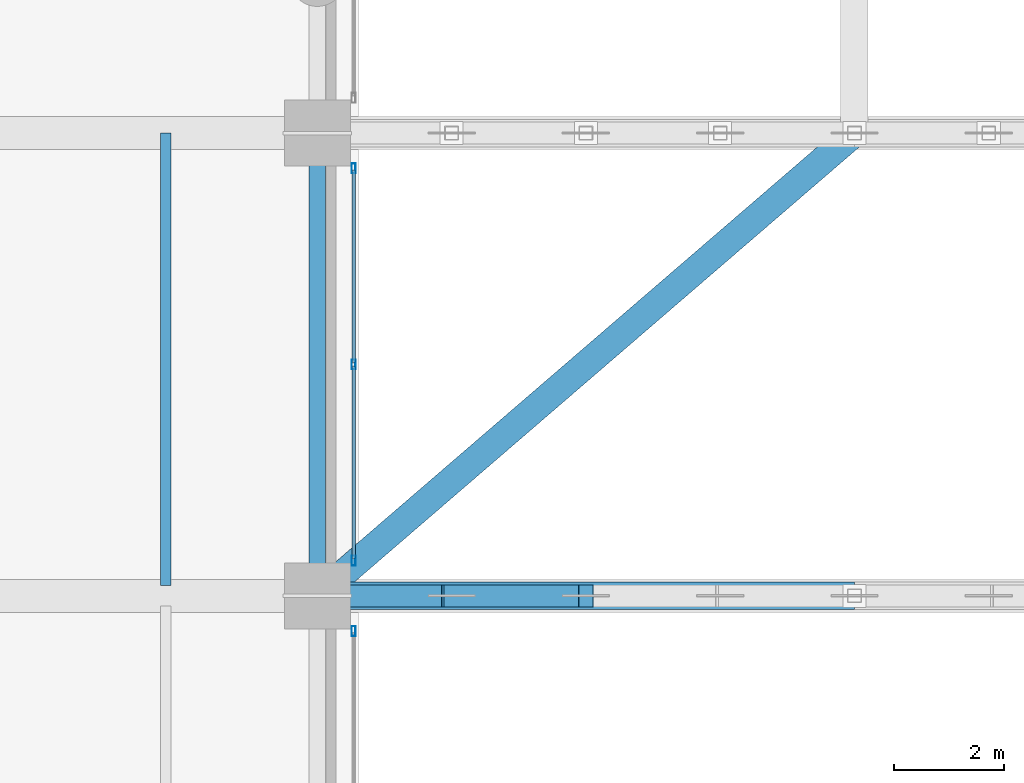
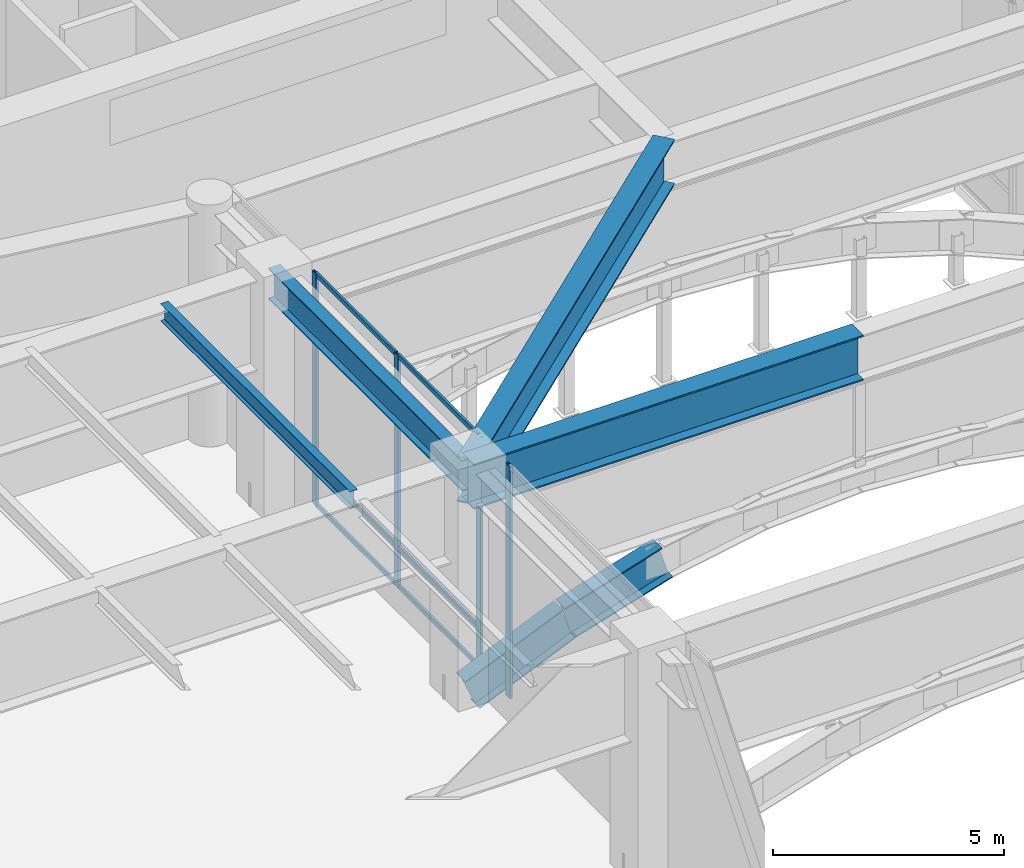
# One storey, part 15 of 50: 10 members, 6 beams, 2 elements without a shape of their own.
"""IFC4 building model written with IfcOpenShell, lengths in metres."""

import ifcopenshell
import ifcopenshell.guid

model = None  # the IFC model being written
_history = None  # IfcOwnerHistory: only IFC2X3 demands one
_inside = {}  # id of a spatial element -> (the spatial element, [elements in it])
_under = {}  # id of a project, library or spatial element -> (it, [spatial elements below it])
_declared = {}  # id of a project -> (the project, [libraries it declares])
_typed = {}  # id of a type object -> (the type object, [elements of that type])
_made_of = {}  # id of a material, layer set ... -> (it, [elements and type objects made of it])


def new_model(schema):
    """Start an empty IFC model of exactly this schema.

    Asked for "IFC4X3", IfcOpenShell would pick the latest addendum, in which some entities
    have other attributes; the version numbers below select the first issue.
    IFC2X3 requires an IfcOwnerHistory on every rooted entity: one is made here for all.
    """
    global model, _history
    if schema == "IFC4X3":
        model = ifcopenshell.file(schema_version=(4, 3, 0, 0))
    else:
        model = ifcopenshell.file(schema=schema)
    _inside.clear()
    _under.clear()
    _declared.clear()
    _typed.clear()
    _made_of.clear()
    _history = None
    if model.schema == "IFC2X3":
        org = make("IfcOrganization", Name="unknown")
        user = make(
            "IfcPersonAndOrganization",
            ThePerson=make("IfcPerson", FamilyName="unknown"),
            TheOrganization=org,
        )
        app = make(
            "IfcApplication",
            ApplicationDeveloper=org,
            Version="unknown",
            ApplicationFullName="unknown",
            ApplicationIdentifier="unknown",
        )
        _history = make(
            "IfcOwnerHistory",
            OwningUser=user,
            OwningApplication=app,
            ChangeAction="ADDED",
            CreationDate=0,
        )
    return model


def make(cls, **values):
    """One entity of the class cls with the attributes given. An attribute that is None is left unset."""
    return model.create_entity(
        cls, **{name: value for name, value in values.items() if value is not None}
    )


def rooted(cls, **values):
    """An entity with a GlobalId (a new one), such as an element, a storey or a relation."""
    return make(cls, GlobalId=ifcopenshell.guid.new(), OwnerHistory=_history, **values)


def si_unit(unit_type, name, prefix=None):
    """IfcSIUnit, for example si_unit("LENGTHUNIT", "METRE", prefix="MILLI")."""
    return make("IfcSIUnit", UnitType=unit_type, Prefix=prefix, Name=name)


def assignment(units):
    """IfcUnitAssignment: the units of a project."""
    return None if units is None else make("IfcUnitAssignment", Units=units)


def point(xyz):
    """IfcCartesianPoint."""
    return None if xyz is None else make("IfcCartesianPoint", Coordinates=xyz)


def direction(xyz):
    """IfcDirection."""
    return None if xyz is None else make("IfcDirection", DirectionRatios=xyz)


def frame(location, z_axis=None, x_axis=None):
    """IfcAxis2Placement3D, a coordinate frame: its origin and axes. An axis left out is left unset."""
    return make(
        "IfcAxis2Placement3D",
        Location=point(location),
        Axis=direction(z_axis),
        RefDirection=direction(x_axis),
    )


def frame_2d(location, x_axis=None):
    """IfcAxis2Placement2D, a coordinate frame in the plane: its origin and x axis."""
    return make(
        "IfcAxis2Placement2D", Location=point(location), RefDirection=direction(x_axis)
    )


def origin():
    """The frame at (0, 0, 0) with its axes left unset."""
    return frame((0.0, 0.0, 0.0))


def origin_2d():
    """The frame at (0, 0) in the plane with its x axis left unset."""
    return frame_2d((0.0, 0.0))


def place(relative_to, where):
    """IfcLocalPlacement: puts the frame where relative to a parent placement (None: the world)."""
    return make(
        "IfcLocalPlacement", PlacementRelTo=relative_to, RelativePlacement=where
    )


def context(
    kind, dimensions, precision=None, world=None, true_north=None, identifier=None
):
    """IfcGeometricRepresentationContext, for example the 3D "Model" context."""
    return make(
        "IfcGeometricRepresentationContext",
        ContextIdentifier=identifier,
        ContextType=kind,
        CoordinateSpaceDimension=dimensions,
        Precision=precision,
        WorldCoordinateSystem=world,
        TrueNorth=true_north,
    )


def subcontext(parent, identifier, kind, view, scale=None):
    """IfcGeometricRepresentationSubContext, for example "Body" below "Model"."""
    return make(
        "IfcGeometricRepresentationSubContext",
        ContextIdentifier=identifier,
        ContextType=kind,
        ParentContext=parent,
        TargetScale=scale,
        TargetView=view,
    )


def project(units=None, contexts=None):
    """IfcProject with its units and contexts."""
    return rooted(
        "IfcProject",
        Name="project",
        RepresentationContexts=contexts,
        UnitsInContext=assignment(units),
    )


def spatial(cls, under=None, at=None, **own):
    """A site, building, storey or space (cls), placed at a placement, below another one or the project."""
    s = rooted(cls, ObjectPlacement=at, **own)
    if under is not None:
        _under.setdefault(under.id(), (under, []))[1].append(s)
    return s


def profile(cls, at=None, kind="AREA", **sizes):
    """A parametric profile (cls). Its sizes go by their IFC names, for example OverallWidth=200.0."""
    return make(cls, ProfileType=kind, Position=at, **sizes)


def hollow_rectangle(**sizes):
    """IfcRectangleHollowProfileDef."""
    return profile("IfcRectangleHollowProfileDef", **sizes)


def i_section(**sizes):
    """IfcIShapeProfileDef."""
    return profile("IfcIShapeProfileDef", **sizes)


def extrude(swept, where, along, depth):
    """IfcExtrudedAreaSolid: the profile swept, set in the frame where, extruded along a direction by depth."""
    return make(
        "IfcExtrudedAreaSolid",
        SweptArea=swept,
        Position=where,
        ExtrudedDirection=direction(along),
        Depth=depth,
    )


def shape(context_of_items, identifier, shape_type, items):
    """IfcShapeRepresentation: the items that make up one representation, for example the "Body"."""
    return make(
        "IfcShapeRepresentation",
        ContextOfItems=context_of_items,
        RepresentationIdentifier=identifier,
        RepresentationType=shape_type,
        Items=items,
    )


def source(mapping_origin, context_of_items, identifier, shape_type, items):
    """IfcRepresentationMap: a shape defined once, which mapped items show again and again."""
    return make(
        "IfcRepresentationMap",
        MappingOrigin=mapping_origin,
        MappedRepresentation=shape(context_of_items, identifier, shape_type, items),
    )


def transform(
    local_origin,
    x_axis=None,
    y_axis=None,
    z_axis=None,
    scale=None,
    scale2=None,
    scale3=None,
    uniform=True,
):
    """IfcCartesianTransformationOperator3D, or its non-uniform kind. x_axis, y_axis, z_axis: its Axis1, 2, 3."""
    if uniform:
        return make(
            "IfcCartesianTransformationOperator3D",
            Axis1=direction(x_axis),
            Axis2=direction(y_axis),
            LocalOrigin=point(local_origin),
            Scale=scale,
            Axis3=direction(z_axis),
        )
    return make(
        "IfcCartesianTransformationOperator3DnonUniform",
        Axis1=direction(x_axis),
        Axis2=direction(y_axis),
        LocalOrigin=point(local_origin),
        Scale=scale,
        Axis3=direction(z_axis),
        Scale2=scale2,
        Scale3=scale3,
    )


def mapped(mapping_source, mapping_target):
    """IfcMappedItem: shows the shape of a source again, moved by a transform."""
    return make(
        "IfcMappedItem", MappingSource=mapping_source, MappingTarget=mapping_target
    )


def material(Name=None, Category=None):
    """IfcMaterial."""
    return make("IfcMaterial", Name=Name, Category=Category)


def layer(
    of_material, thickness, ventilated=None, Name=None, Category=None, Priority=None
):
    """IfcMaterialLayer: one layer of a wall or slab, of a material (None: an air gap)."""
    return make(
        "IfcMaterialLayer",
        Material=of_material,
        LayerThickness=thickness,
        IsVentilated=ventilated,
        Name=Name,
        Category=Category,
        Priority=Priority,
    )


def layer_set(layers, Name=None):
    """IfcMaterialLayerSet."""
    return make("IfcMaterialLayerSet", MaterialLayers=layers, LayerSetName=Name)


def material_profile(
    of_material, cross_section, Name=None, Category=None, Priority=None
):
    """IfcMaterialProfile: a cross section and its material."""
    return make(
        "IfcMaterialProfile",
        Name=Name,
        Material=of_material,
        Profile=cross_section,
        Priority=Priority,
        Category=Category,
    )


def profile_set(profiles, Name=None, composite=None):
    """IfcMaterialProfileSet."""
    return make(
        "IfcMaterialProfileSet",
        Name=Name,
        MaterialProfiles=profiles,
        CompositeProfile=composite,
    )


def made_of(thing, what):
    """Note that an element or type object is made of a material, layer set ...; save() writes the relation."""
    if what is not None:
        _made_of.setdefault(what.id(), (what, []))[1].append(thing)
    return thing


def type_object(cls, material=None, **own):
    """A type object (cls), such as IfcWallType, which elements share."""
    return made_of(rooted(cls, **own), material)


def type_shapes(of_type, sources):
    """Give a type object the sources (RepresentationMaps) that its elements show as mapped items."""
    of_type.RepresentationMaps = sources


def element(
    cls,
    number,
    at=None,
    inside=None,
    cuts=None,
    type_object=None,
    material=None,
    context=None,
    identifier="Body",
    shape_type=None,
    held_by="IfcProductDefinitionShape",
    body=None,
    shapes=None,
    **own,
):
    """One element of the class cls, such as IfcWall. Its Tag is "e" and its number.

    at: its placement. inside: the storey or other place that contains it. cuts: it is an
    opening in that element (IfcRelVoidsElement). A single representation is given by context,
    identifier, shape_type and body (its items); several are given by shapes. held_by: the class
    of the entity that holds the representations. save() writes the other relations.
    """
    e = rooted(cls, Tag="e%d" % number, ObjectPlacement=at, **own)
    if body is not None:
        shapes = [shape(context, identifier, shape_type, body)]
    if shapes is not None:
        e.Representation = make(held_by, Representations=shapes)
    if inside is not None:
        _inside.setdefault(inside.id(), (inside, []))[1].append(e)
    if cuts is not None:
        rooted(
            "IfcRelVoidsElement", RelatingBuildingElement=cuts, RelatedOpeningElement=e
        )
    if type_object is not None:
        _typed.setdefault(type_object.id(), (type_object, []))[1].append(e)
    return made_of(e, material)


def aggregate(whole, parts):
    """IfcRelAggregates: a whole, such as a stair, and the parts it consists of."""
    return rooted("IfcRelAggregates", RelatingObject=whole, RelatedObjects=parts)


def save(model, path):
    """Write the relations noted so far, then the file.

    IfcRelAggregates (storeys below a building ...), IfcRelContainedInSpatialStructure (elements
    in a storey), IfcRelDefinesByType, IfcRelAssociatesMaterial and IfcRelDeclares: one each for
    every whole, place, type object, material and project.
    """
    for whole, parts in _under.values():
        aggregate(whole, parts)
    for where, things in _inside.values():
        rooted(
            "IfcRelContainedInSpatialStructure",
            RelatedElements=things,
            RelatingStructure=where,
        )
    for kind, things in _typed.values():
        rooted("IfcRelDefinesByType", RelatedObjects=things, RelatingType=kind)
    for what, things in _made_of.values():
        rooted("IfcRelAssociatesMaterial", RelatedObjects=things, RelatingMaterial=what)
    for by, libraries in _declared.values():
        rooted("IfcRelDeclares", RelatingContext=by, RelatedDefinitions=libraries)
    model.write(path)


model = new_model("IFC4")

# Units and contexts
model_context = context("Model", 3, precision=1e-05, world=origin(), true_north=direction((0.0, 1.0)))
body_context = subcontext(model_context, "Body", "Model", "MODEL_VIEW")
ifc_project = project(units=[si_unit("LENGTHUNIT", "METRE"), si_unit("AREAUNIT", "SQUARE_METRE"), si_unit("VOLUMEUNIT", "CUBIC_METRE"), si_unit("PLANEANGLEUNIT", "RADIAN"), si_unit("MASSUNIT", "GRAM", prefix="KILO")], contexts=[model_context])

# Site, building, storey
site_placement = place(None, origin())
site = spatial("IfcSite", under=ifc_project, at=site_placement, CompositionType="ELEMENT")
building_placement = place(site_placement, origin())
building = spatial("IfcBuilding", under=site, at=building_placement, Name="Tolvann Quenvar Hotel", CompositionType="ELEMENT")
storey_placement = place(building_placement, frame((0.0, 0.0, 16.0)))
storey = spatial("IfcBuildingStorey", under=building, at=storey_placement, Name="L03", CompositionType="ELEMENT", Elevation=16.0)

# Beams
ifc_material_1 = material(Name="Steel Grade 350", Category="steel")
ifc_material_profile_1 = material_profile(ifc_material_1, i_section(OverallWidth=0.300048828125, OverallDepth=0.81591796875, WebThickness=0.010009765625, FlangeThickness=0.028076171875, at=origin_2d()), Name="800WB192")
ifc_profile_set_1 = profile_set([ifc_material_profile_1], Name="Steel Grade 350")
beam_type_1 = type_object("IfcBeamType", Name="BM_GIRD_800WB192", PredefinedType="BEAM", material=ifc_profile_set_1)
shared_shape_1 = source(origin(), body_context, "Body", "SweptSolid", [
    extrude(i_section(OverallWidth=0.300048828125, OverallDepth=0.81591796875, WebThickness=0.010009765625, FlangeThickness=0.028076171875, at=origin_2d()), origin(), (0.0, 0.0, 1.0), 8.39990234375),
])
type_shapes(beam_type_1, [shared_shape_1])
beam_1_placement = place(storey_placement, frame((18.75, 16.0, 5.73193359375), z_axis=(0.0, 1.0, 0.0), x_axis=(-1.0, 0.0, 0.0)))
element("IfcBeam", 1, at=beam_1_placement, inside=storey, type_object=beam_type_1, Name="BM-L03-NS-APW-2", PredefinedType="BEAM", context=body_context, shape_type="MappedRepresentation", body=[
    mapped(shared_shape_1, transform((0.0, 0.0, 0.0), x_axis=(1.0, 0.0, 0.0), y_axis=(0.0, 1.0, 0.0), z_axis=(0.0, 0.0, 1.0), scale=1.0)),
])
ifc_material_profile_2 = material_profile(ifc_material_1, i_section(OverallWidth=0.5, OverallDepth=1.199951171875, WebThickness=0.01611328125, FlangeThickness=0.0400390625, at=origin_2d()), Name="1200WB455")
ifc_profile_set_2 = profile_set([ifc_material_profile_2], Name="Steel Grade 350")
beam_type_2 = type_object("IfcBeamType", Name="BM_TG_1200WB455", PredefinedType="USERDEFINED", material=ifc_profile_set_2)
shared_shape_2 = source(origin(), body_context, "Body", "SweptSolid", [
    extrude(i_section(OverallWidth=0.5, OverallDepth=1.199951171875, WebThickness=0.01611328125, FlangeThickness=0.0400390625, at=origin_2d()), origin(), (0.0, 0.0, 1.0), 9.75),
])
beam_2_placement = place(storey_placement, frame((18.75, 16.0, 5.5400390625), z_axis=(1.0, 0.0, 0.0), x_axis=(0.0, 1.0, 0.0)))
element("IfcBeam", 2, at=beam_2_placement, inside=storey, type_object=beam_type_2, Name="TG-AUTO1-L03-PARCH3-3", ObjectType="TRANSFER GIRDER", PredefinedType="USERDEFINED", context=body_context, shape_type="MappedRepresentation", body=[
    mapped(shared_shape_2, transform((0.0, 0.0, 0.0), x_axis=(1.0, 0.0, 0.0), y_axis=(0.0, 1.0, 0.0), z_axis=(0.0, 0.0, 1.0), scale=1.0)),
])
ifc_material_profile_3 = material_profile(ifc_material_1, i_section(OverallWidth=0.18994140625, OverallDepth=0.4541015625, WebThickness=0.008544921875, FlangeThickness=0.0126953125, FilletRadius=0.011474609375, at=origin_2d()), Name="460UB67")
ifc_profile_set_3 = profile_set([ifc_material_profile_3], Name="Steel Grade 350")
beam_type_3 = type_object("IfcBeamType", Name="BM_JOIST_460UB67", PredefinedType="JOIST", material=ifc_profile_set_3)
shared_shape_3 = source(origin(), body_context, "Body", "SweptSolid", [
    extrude(i_section(OverallWidth=0.18994140625, OverallDepth=0.4541015625, WebThickness=0.008544921875, FlangeThickness=0.0126953125, FilletRadius=0.011474609375, at=origin_2d()), origin(), (0.0, 0.0, 1.0), 8.21484375),
])
type_shapes(beam_type_3, [shared_shape_3])
beam_3_placement = place(storey_placement, frame((16.0, 16.18505859375, 5.9130859375), z_axis=(0.0, 1.0, 0.0), x_axis=(-1.0, 0.0, 0.0)))
element("IfcBeam", 3, at=beam_3_placement, inside=storey, type_object=beam_type_3, Name="BJ-L03-160-160", PredefinedType="JOIST", context=body_context, shape_type="MappedRepresentation", body=[
    mapped(shared_shape_3, transform((0.0, 0.0, 0.0), x_axis=(1.0, 0.0, 0.0), y_axis=(0.0, 1.0, 0.0), z_axis=(0.0, 0.0, 1.0), scale=1.0)),
])
shared_shape_4 = source(origin(), body_context, "Body", "SweptSolid", [
    extrude(i_section(OverallWidth=0.5, OverallDepth=1.199951171875, WebThickness=0.01611328125, FlangeThickness=0.0400390625, at=origin_2d()), origin(), (0.0, 0.0, 1.0), 12.869384765625),
])
type_shapes(beam_type_2, [shared_shape_2, shared_shape_4])
beam_4_placement = place(storey_placement, frame((28.5, 24.39990234375, 5.5400390625), z_axis=(-0.757612442832, -0.652704670174, 0.0), x_axis=(0.652704670174, -0.757612442832, 0.0)))
element("IfcBeam", 4, at=beam_4_placement, inside=storey, type_object=beam_type_2, Name="TG-AUTO2-L03-PARCHM-4", ObjectType="TRANSFER GIRDER", PredefinedType="USERDEFINED", context=body_context, shape_type="MappedRepresentation", body=[
    mapped(shared_shape_4, transform((0.0, 0.0, 0.0), x_axis=(1.0, 0.0, 0.0), y_axis=(0.0, 1.0, 0.0), z_axis=(0.0, 0.0, 1.0), scale=1.0)),
])
ifc_material_profile_4 = material_profile(ifc_material_1, i_section(OverallWidth=0.39990234375, OverallDepth=0.916015625, WebThickness=0.011962890625, FlangeThickness=0.028076171875, at=origin_2d()), Name="900WB257")
ifc_profile_set_4 = profile_set([ifc_material_profile_4], Name="Steel Grade 350")
beam_type_4 = type_object("IfcBeamType", Name="BM_ARCH_900WB257", PredefinedType="USERDEFINED", material=ifc_profile_set_4)
shared_shape_5 = source(origin(), body_context, "Body", "SweptSolid", [
    extrude(i_section(OverallWidth=0.39990234375, OverallDepth=0.916015625, WebThickness=0.011962890625, FlangeThickness=0.028076171875, at=origin_2d()), origin(), (0.0, 0.0, 1.0), 2.654052734375),
])
beam_5_placement = place(storey_placement, frame((18.75, 16.0, 0.0), z_axis=(0.918405931002, 0.0, 0.395639413987), x_axis=(0.0, 1.0, 0.0)))
element("IfcBeam", 5, at=beam_5_placement, inside=storey, type_object=beam_type_4, Name="Podium Parabolic Arch Rib F3-S1", ObjectType="ARCH RIB", PredefinedType="USERDEFINED", context=body_context, shape_type="MappedRepresentation", body=[
    mapped(shared_shape_5, transform((0.0, 0.0, 0.0), x_axis=(1.0, 0.0, 0.0), y_axis=(0.0, 1.0, 0.0), z_axis=(0.0, 0.0, 1.0), scale=1.0)),
])
shared_shape_6 = source(origin(), body_context, "Body", "SweptSolid", [
    extrude(i_section(OverallWidth=0.39990234375, OverallDepth=0.916015625, WebThickness=0.011962890625, FlangeThickness=0.028076171875, at=origin_2d()), origin(), (0.0, 0.0, 1.0), 2.55029296875),
])
type_shapes(beam_type_4, [shared_shape_5, shared_shape_6])
beam_6_placement = place(storey_placement, frame((21.1875, 16.0, 1.050048828125), z_axis=(0.955779008722, 0.0, 0.294085848838), x_axis=(0.0, 1.0, 0.0)))
element("IfcBeam", 6, at=beam_6_placement, inside=storey, type_object=beam_type_4, Name="Podium Parabolic Arch Rib F3-S2", ObjectType="ARCH RIB", PredefinedType="USERDEFINED", context=body_context, shape_type="MappedRepresentation", body=[
    mapped(shared_shape_6, transform((0.0, 0.0, 0.0), x_axis=(1.0, 0.0, 0.0), y_axis=(0.0, 1.0, 0.0), z_axis=(0.0, 0.0, 1.0), scale=1.0)),
])

# Curtain wall, member
ifc_material_2 = material(Name="Thermally broken anodised architectural aluminium 6063-T6 and laminated low-E glass", Category="aluminium")
ifc_layer = layer(ifc_material_2, 0.179931640625)
ifc_layer_set = layer_set([ifc_layer], Name="Thermally broken anodised architectural aluminium 6063-T6 and laminated low-E glass")
curtain_wall_type = type_object("IfcCurtainWallType", Name="CW_SYS_ARCH_01", PredefinedType="USERDEFINED", material=ifc_layer_set)
curtain_wall_1_placement = place(storey_placement, origin())
curtain_wall_1 = element("IfcCurtainWall", 7, at=curtain_wall_1_placement, inside=storey, type_object=curtain_wall_type, Name="Curtain Wall CW-ARCH-01 (CWR-L03-E01-S2)", ObjectType="UNITISED CURTAIN WALL", PredefinedType="USERDEFINED")
ifc_material_3 = material(Name="Anodised architectural aluminium 6063-T6 framing", Category="aluminium")
ifc_material_profile_5 = material_profile(ifc_material_3, hollow_rectangle(XDim=0.070068359375, YDim=0.179931640625, WallThickness=0.00390625, at=origin_2d()), Name="180x70x4RHS")
ifc_profile_set_5 = profile_set([ifc_material_profile_5], Name="Anodised architectural aluminium 6063-T6 framing")
member_type_1 = type_object("IfcMemberType", Name="CW_MULL_180x70", PredefinedType="MULLION", material=ifc_profile_set_5)
shared_shape_7 = source(origin(), body_context, "Body", "SweptSolid", [
    extrude(hollow_rectangle(XDim=0.070068359375, YDim=0.179931640625, WallThickness=0.00390625, at=origin_2d()), origin(), (0.0, 0.0, 1.0), 6.139892578125),
])
type_shapes(member_type_1, [shared_shape_7])
member_1_placement = place(storey_placement, frame((19.409912109375, 15.361083984375, 0.0), z_axis=(0.0, 0.0, 1.0), x_axis=(-1.0, 0.0, 0.0)))
member_1 = element("IfcMember", 8, at=member_1_placement, type_object=member_type_1, Name="CW-ARCH-01 mullion 2", PredefinedType="MULLION", context=body_context, shape_type="MappedRepresentation", body=[
    mapped(shared_shape_7, transform((0.0, 0.0, 0.0), x_axis=(1.0, 0.0, 0.0), y_axis=(0.0, 1.0, 0.0), z_axis=(0.0, 0.0, 1.0), scale=1.0)),
])
aggregate(curtain_wall_1, [member_1])

# Curtain wall, members
curtain_wall_2_placement = place(storey_placement, origin())
curtain_wall_2 = element("IfcCurtainWall", 9, at=curtain_wall_2_placement, inside=storey, type_object=curtain_wall_type, Name="Curtain Wall CW-ARCH-01 (CWR-L03-E01-S3)", ObjectType="UNITISED CURTAIN WALL", PredefinedType="USERDEFINED")
member_2_placement = place(storey_placement, frame((19.409912109375, 16.638916015625, 0.0), z_axis=(0.0, 0.0, 1.0), x_axis=(-1.0, 0.0, 0.0)))
member_2 = element("IfcMember", 10, at=member_2_placement, type_object=member_type_1, Name="CW-ARCH-01 mullion 1", PredefinedType="MULLION", context=body_context, shape_type="MappedRepresentation", body=[
    mapped(shared_shape_7, transform((0.0, 0.0, 0.0), x_axis=(1.0, 0.0, 0.0), y_axis=(0.0, 1.0, 0.0), z_axis=(0.0, 0.0, 1.0), scale=1.0)),
])
member_3_placement = place(storey_placement, frame((19.409912109375, 20.199951171875, 0.0), z_axis=(0.0, 0.0, 1.0), x_axis=(-1.0, 0.0, 0.0)))
member_3 = element("IfcMember", 11, at=member_3_placement, type_object=member_type_1, Name="CW-ARCH-01 mullion 2", PredefinedType="MULLION", context=body_context, shape_type="MappedRepresentation", body=[
    mapped(shared_shape_7, transform((0.0, 0.0, 0.0), x_axis=(1.0, 0.0, 0.0), y_axis=(0.0, 1.0, 0.0), z_axis=(0.0, 0.0, 1.0), scale=1.0)),
])
member_4_placement = place(storey_placement, frame((19.409912109375, 23.760986328125, 0.0), z_axis=(0.0, 0.0, 1.0), x_axis=(-1.0, 0.0, 0.0)))
member_4 = element("IfcMember", 12, at=member_4_placement, type_object=member_type_1, Name="CW-ARCH-01 mullion 3", PredefinedType="MULLION", context=body_context, shape_type="MappedRepresentation", body=[
    mapped(shared_shape_7, transform((0.0, 0.0, 0.0), x_axis=(1.0, 0.0, 0.0), y_axis=(0.0, 1.0, 0.0), z_axis=(0.0, 0.0, 1.0), scale=1.0)),
])
ifc_material_profile_6 = material_profile(ifc_material_3, hollow_rectangle(XDim=0.06005859375, YDim=0.1201171875, WallThickness=0.00341796875, at=origin_2d()), Name="120x60x3.5RHS")
ifc_profile_set_6 = profile_set([ifc_material_profile_6], Name="Anodised architectural aluminium 6063-T6 framing")
member_type_2 = type_object("IfcMemberType", Name="CW_TRAN_120x60", PredefinedType="USERDEFINED", material=ifc_profile_set_6)
shared_shape_8 = source(origin(), body_context, "Body", "SweptSolid", [
    extrude(hollow_rectangle(XDim=0.06005859375, YDim=0.1201171875, WallThickness=0.00341796875, at=origin_2d()), origin(), (0.0, 0.0, 1.0), 3.490966796875),
])
type_shapes(member_type_2, [shared_shape_8])
member_5_placement = place(storey_placement, frame((19.409912109375, 16.674072265625, 0.030029296875), z_axis=(0.0, 1.0, 0.0), x_axis=(-1.0, 0.0, 0.0)))
member_5 = element("IfcMember", 13, at=member_5_placement, type_object=member_type_2, Name="CW-ARCH-01 transom 1.1", ObjectType="TRANSOM", PredefinedType="USERDEFINED", context=body_context, shape_type="MappedRepresentation", body=[
    mapped(shared_shape_8, transform((0.0, 0.0, 0.0), x_axis=(1.0, 0.0, 0.0), y_axis=(0.0, 1.0, 0.0), z_axis=(0.0, 0.0, 1.0), scale=1.0)),
])
member_6_placement = place(storey_placement, frame((19.409912109375, 16.674072265625, 1.050048828125), z_axis=(0.0, 1.0, 0.0), x_axis=(-1.0, 0.0, 0.0)))
member_6 = element("IfcMember", 14, at=member_6_placement, type_object=member_type_2, Name="CW-ARCH-01 transom 1.2", ObjectType="TRANSOM", PredefinedType="USERDEFINED", context=body_context, shape_type="MappedRepresentation", body=[
    mapped(shared_shape_8, transform((0.0, 0.0, 0.0), x_axis=(1.0, 0.0, 0.0), y_axis=(0.0, 1.0, 0.0), z_axis=(0.0, 0.0, 1.0), scale=1.0)),
])
member_7_placement = place(storey_placement, frame((19.409912109375, 16.674072265625, 6.110107421875), z_axis=(0.0, 1.0, 0.0), x_axis=(-1.0, 0.0, 0.0)))
member_7 = element("IfcMember", 15, at=member_7_placement, type_object=member_type_2, Name="CW-ARCH-01 transom 1.3", ObjectType="TRANSOM", PredefinedType="USERDEFINED", context=body_context, shape_type="MappedRepresentation", body=[
    mapped(shared_shape_8, transform((0.0, 0.0, 0.0), x_axis=(1.0, 0.0, 0.0), y_axis=(0.0, 1.0, 0.0), z_axis=(0.0, 0.0, 1.0), scale=1.0)),
])
member_8_placement = place(storey_placement, frame((19.409912109375, 20.235107421875, 0.030029296875), z_axis=(0.0, 1.0, 0.0), x_axis=(-1.0, 0.0, 0.0)))
member_8 = element("IfcMember", 16, at=member_8_placement, type_object=member_type_2, Name="CW-ARCH-01 transom 2.1", ObjectType="TRANSOM", PredefinedType="USERDEFINED", context=body_context, shape_type="MappedRepresentation", body=[
    mapped(shared_shape_8, transform((0.0, 0.0, 0.0), x_axis=(1.0, 0.0, 0.0), y_axis=(0.0, 1.0, 0.0), z_axis=(0.0, 0.0, 1.0), scale=1.0)),
])
member_9_placement = place(storey_placement, frame((19.409912109375, 20.235107421875, 1.050048828125), z_axis=(0.0, 1.0, 0.0), x_axis=(-1.0, 0.0, 0.0)))
member_9 = element("IfcMember", 17, at=member_9_placement, type_object=member_type_2, Name="CW-ARCH-01 transom 2.2", ObjectType="TRANSOM", PredefinedType="USERDEFINED", context=body_context, shape_type="MappedRepresentation", body=[
    mapped(shared_shape_8, transform((0.0, 0.0, 0.0), x_axis=(1.0, 0.0, 0.0), y_axis=(0.0, 1.0, 0.0), z_axis=(0.0, 0.0, 1.0), scale=1.0)),
])
member_10_placement = place(storey_placement, frame((19.409912109375, 20.235107421875, 6.110107421875), z_axis=(0.0, 1.0, 0.0), x_axis=(-1.0, 0.0, 0.0)))
member_10 = element("IfcMember", 18, at=member_10_placement, type_object=member_type_2, Name="CW-ARCH-01 transom 2.3", ObjectType="TRANSOM", PredefinedType="USERDEFINED", context=body_context, shape_type="MappedRepresentation", body=[
    mapped(shared_shape_8, transform((0.0, 0.0, 0.0), x_axis=(1.0, 0.0, 0.0), y_axis=(0.0, 1.0, 0.0), z_axis=(0.0, 0.0, 1.0), scale=1.0)),
])
aggregate(curtain_wall_2, [member_2, member_3, member_4, member_5, member_6, member_7, member_8, member_9, member_10])

save(model, "model.ifc")
